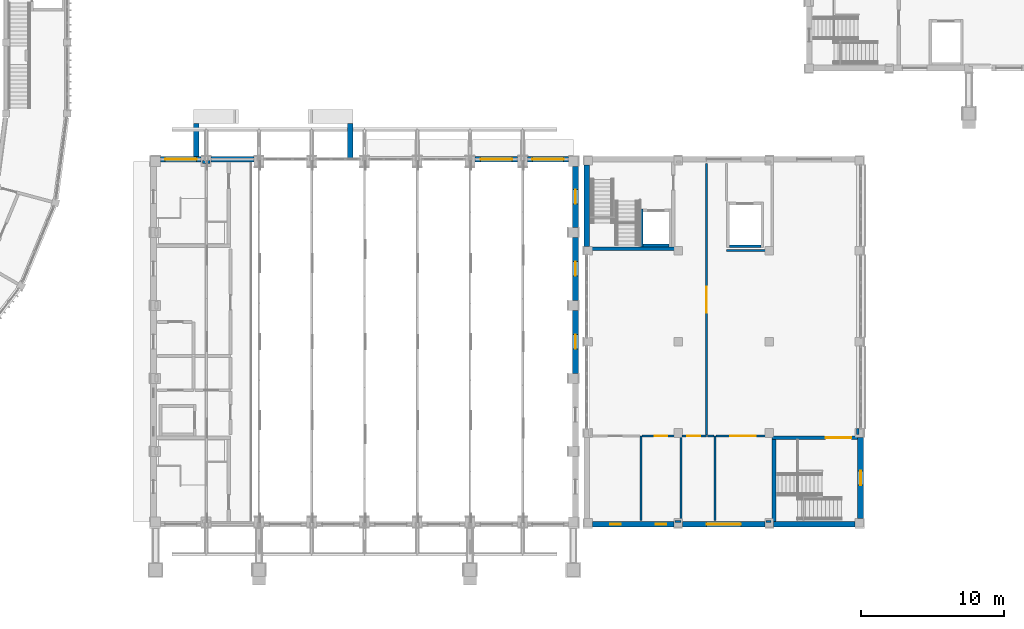
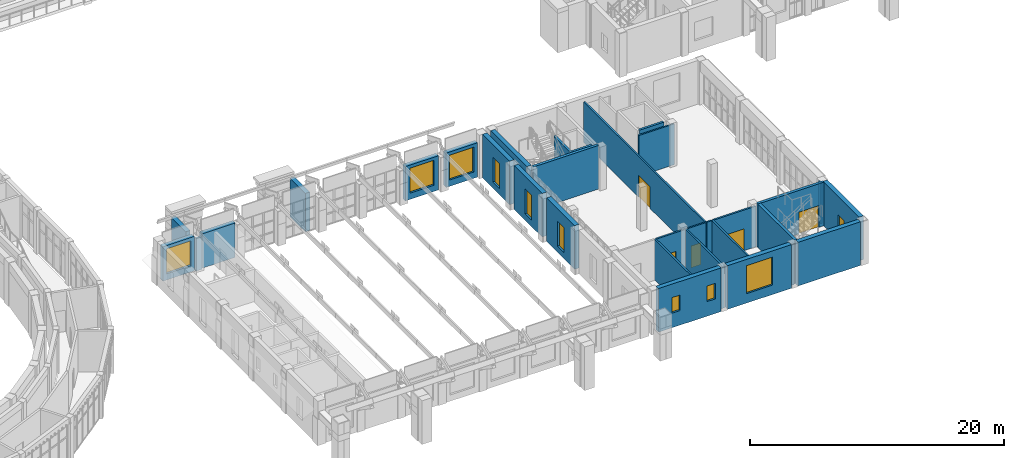
# One storey, part 59 of 99: 33 walls, 10 windows, 5 doors, 15 openings.
"""IFC4 building model written with IfcOpenShell, lengths in metres."""

from ifc_helpers import new_model, si_unit, direction, frame, frame_2d, origin, place, context, subcontext, project, spatial, rectangle, extrude, material, layer, layer_set, type_object, element, fill, save


model = new_model("IFC4")

# Units and contexts
model_context = context("Model", 3, precision=1e-05, world=origin(), true_north=direction((0.0, 1.0)))
body_context = subcontext(model_context, "Body", "Model", "MODEL_VIEW")
ifc_project = project(units=[si_unit("LENGTHUNIT", "METRE"), si_unit("AREAUNIT", "SQUARE_METRE"), si_unit("VOLUMEUNIT", "CUBIC_METRE"), si_unit("PLANEANGLEUNIT", "RADIAN"), si_unit("MASSUNIT", "GRAM", prefix="KILO")], contexts=[model_context])

# Site, building, storey
site_placement = place(None, origin())
site = spatial("IfcSite", under=ifc_project, at=site_placement, CompositionType="ELEMENT")
building_placement = place(site_placement, origin())
building = spatial("IfcBuilding", under=site, at=building_placement, Name="Wasatch Bagh Community Centre", CompositionType="ELEMENT")
storey_placement = place(building_placement, frame((0.0, 0.0, 4.199951171875)))
storey = spatial("IfcBuildingStorey", under=building, at=storey_placement, Name="L01", CompositionType="ELEMENT", Elevation=4.199951171875)

# Wall, opening, window
ifc_material_1 = material(Name="Concrete C40", Category="concrete")
ifc_layer_1 = layer(ifc_material_1, 0.39990234375)
ifc_layer_set_1 = layer_set([ifc_layer_1], Name="Concrete C40")
wall_type_1 = type_object("IfcWallType", Name="DH RC WALL 400 solidwall", PredefinedType="SOLIDWALL", material=ifc_layer_set_1)
wall_1_placement = place(storey_placement, frame((66.699951171875, 31.800048828125, 0.0), z_axis=(0.0, 0.0, 1.0), x_axis=(1.0, 0.0, 0.0)))
wall_1 = element("IfcWall", 1, at=wall_1_placement, inside=storey, type_object=wall_type_1, Name="DH.wall.L01.09", PredefinedType="SOLIDWALL", context=body_context, shape_type="SweptSolid", body=[
    extrude(rectangle(XDim=2.85009765625, YDim=0.39990234375, at=frame_2d((1.425048828125, 0.0))), origin(), (0.0, 0.0, 1.0), 3.300048828125),
])
opening_1_placement = place(wall_1_placement, frame((0.324951171875, 0.0, 0.60009765625)))
opening_1 = element("IfcOpeningElement", 2, at=opening_1_placement, cuts=wall_1, Name="Opening 1D-W08", PredefinedType="OPENING", context=body_context, shape_type="SweptSolid", body=[
    extrude(rectangle(XDim=2.199951171875, YDim=2.39990234375, at=frame_2d((1.10009765625, 1.199951171875))), frame((0.0, 0.2099609375, 0.0), z_axis=(0.0, -1.0, 0.0), x_axis=(1.0, 0.0, 0.0)), (0.0, 0.0, 1.0), 0.419921875),
])
ifc_material_2 = material(Name="Aluminium frame with double glazing", Category="aluminium")
window_type_1 = type_object("IfcWindowType", Name="DH window 2200x2400", PartitioningType="SINGLE_PANEL", PredefinedType="WINDOW", material=ifc_material_2)
window_1_placement = place(opening_1_placement, origin())
window_1 = element("IfcWindow", 3, at=window_1_placement, inside=storey, type_object=window_type_1, Name="DH.window.L01.1D-W08", OverallHeight=2.39990234375, OverallWidth=2.199951171875, PartitioningType="SINGLE_PANEL", PredefinedType="WINDOW", context=body_context, shape_type="SweptSolid", body=[
    extrude(rectangle(XDim=2.199951171875, YDim=2.39990234375, at=frame_2d((1.10009765625, 1.199951171875))), frame((0.0, 0.030029296875, 0.0), z_axis=(0.0, -1.0, 0.0), x_axis=(1.0, 0.0, 0.0)), (0.0, 0.0, 1.0), 0.06005859375),
])
fill(opening_1, window_1)

# Wall
wall_2_placement = place(storey_placement, frame((70.25, 31.800048828125, 0.0), z_axis=(0.0, 0.0, 1.0), x_axis=(1.0, 0.0, 0.0)))
element("IfcWall", 4, at=wall_2_placement, inside=storey, type_object=wall_type_1, Name="DH.wall.L01.10", PredefinedType="SOLIDWALL", context=body_context, shape_type="SweptSolid", body=[
    extrude(rectangle(XDim=3.0, YDim=0.39990234375, at=frame_2d((1.5, 0.0))), origin(), (0.0, 0.0, 1.0), 3.300048828125),
])

# Wall, opening, window
wall_3_placement = place(storey_placement, frame((88.75, 31.800048828125, 0.0), z_axis=(0.0, 0.0, 1.0), x_axis=(1.0, 0.0, 0.0)))
wall_3 = element("IfcWall", 5, at=wall_3_placement, inside=storey, type_object=wall_type_1, Name="DH.wall.L01.15", PredefinedType="SOLIDWALL", context=body_context, shape_type="SweptSolid", body=[
    extrude(rectangle(XDim=3.0, YDim=0.39990234375, at=frame_2d((1.5, 0.0))), origin(), (0.0, 0.0, 1.0), 3.300048828125),
])
opening_2_placement = place(wall_3_placement, frame((0.39990234375, 0.0, 0.60009765625)))
opening_2 = element("IfcOpeningElement", 6, at=opening_2_placement, cuts=wall_3, Name="Opening 1D-W09", PredefinedType="OPENING", context=body_context, shape_type="SweptSolid", body=[
    extrude(rectangle(XDim=2.199951171875, YDim=2.39990234375, at=frame_2d((1.10009765625, 1.199951171875))), frame((0.0, 0.2099609375, 0.0), z_axis=(0.0, -1.0, 0.0), x_axis=(1.0, 0.0, 0.0)), (0.0, 0.0, 1.0), 0.419921875),
])
window_2_placement = place(opening_2_placement, origin())
window_2 = element("IfcWindow", 7, at=window_2_placement, inside=storey, type_object=window_type_1, Name="DH.window.L01.1D-W09", OverallHeight=2.39990234375, OverallWidth=2.199951171875, PartitioningType="SINGLE_PANEL", PredefinedType="WINDOW", context=body_context, shape_type="SweptSolid", body=[
    extrude(rectangle(XDim=2.199951171875, YDim=2.39990234375, at=frame_2d((1.10009765625, 1.199951171875))), frame((0.0, 0.030029296875, 0.0), z_axis=(0.0, -1.0, 0.0), x_axis=(1.0, 0.0, 0.0)), (0.0, 0.0, 1.0), 0.06005859375),
])
fill(opening_2, window_2)

wall_4_placement = place(storey_placement, frame((92.449951171875, 31.800048828125, 0.0), z_axis=(0.0, 0.0, 1.0), x_axis=(1.0, 0.0, 0.0)))
wall_4 = element("IfcWall", 8, at=wall_4_placement, inside=storey, type_object=wall_type_1, Name="DH.wall.L01.16", PredefinedType="SOLIDWALL", context=body_context, shape_type="SweptSolid", body=[
    extrude(rectangle(XDim=2.85009765625, YDim=0.39990234375, at=frame_2d((1.425048828125, 0.0))), origin(), (0.0, 0.0, 1.0), 3.300048828125),
])
opening_3_placement = place(wall_4_placement, frame((0.324951171875, 0.0, 0.60009765625)))
opening_3 = element("IfcOpeningElement", 9, at=opening_3_placement, cuts=wall_4, Name="Opening 1D-W10", PredefinedType="OPENING", context=body_context, shape_type="SweptSolid", body=[
    extrude(rectangle(XDim=2.199951171875, YDim=2.39990234375, at=frame_2d((1.10009765625, 1.199951171875))), frame((0.0, 0.2099609375, 0.0), z_axis=(0.0, -1.0, 0.0), x_axis=(1.0, 0.0, 0.0)), (0.0, 0.0, 1.0), 0.419921875),
])
window_3_placement = place(opening_3_placement, origin())
window_3 = element("IfcWindow", 10, at=window_3_placement, inside=storey, type_object=window_type_1, Name="DH.window.L01.1D-W10", OverallHeight=2.39990234375, OverallWidth=2.199951171875, PartitioningType="SINGLE_PANEL", PredefinedType="WINDOW", context=body_context, shape_type="SweptSolid", body=[
    extrude(rectangle(XDim=2.199951171875, YDim=2.39990234375, at=frame_2d((1.10009765625, 1.199951171875))), frame((0.0, 0.030029296875, 0.0), z_axis=(0.0, -1.0, 0.0), x_axis=(1.0, 0.0, 0.0)), (0.0, 0.0, 1.0), 0.06005859375),
])
fill(opening_3, window_3)

wall_5_placement = place(storey_placement, frame((95.800048828125, 16.7900390625, 0.0), z_axis=(0.0, 0.0, 1.0), x_axis=(0.0, 1.0, 0.0)))
wall_5 = element("IfcWall", 11, at=wall_5_placement, inside=storey, type_object=wall_type_1, Name="DH.wall.L01.24", PredefinedType="SOLIDWALL", context=body_context, shape_type="SweptSolid", body=[
    extrude(rectangle(XDim=4.419921875, YDim=0.39990234375, at=frame_2d((2.2099609375, 0.0))), origin(), (0.0, 0.0, 1.0), 4.199951171875),
])
opening_4_placement = place(wall_5_placement, frame((1.7099609375, 0.0, 0.60009765625)))
opening_4 = element("IfcOpeningElement", 12, at=opening_4_placement, cuts=wall_5, Name="Opening 1D-W19", PredefinedType="OPENING", context=body_context, shape_type="SweptSolid", body=[
    extrude(rectangle(XDim=1.0, YDim=2.39990234375, at=frame_2d((0.5, 1.199951171875))), frame((0.0, 0.2099609375, 0.0), z_axis=(0.0, -1.0, 0.0), x_axis=(1.0, 0.0, 0.0)), (0.0, 0.0, 1.0), 0.419921875),
])
window_type_2 = type_object("IfcWindowType", Name="DH window 1000x2400", PartitioningType="SINGLE_PANEL", PredefinedType="WINDOW", material=ifc_material_2)
window_4_placement = place(opening_4_placement, origin())
window_4 = element("IfcWindow", 13, at=window_4_placement, inside=storey, type_object=window_type_2, Name="DH.window.L01.1D-W19", OverallHeight=2.39990234375, OverallWidth=1.0, PartitioningType="SINGLE_PANEL", PredefinedType="WINDOW", context=body_context, shape_type="SweptSolid", body=[
    extrude(rectangle(XDim=1.0, YDim=2.39990234375, at=frame_2d((0.5, 1.199951171875))), frame((0.0, 0.030029296875, 0.0), z_axis=(0.0, -1.0, 0.0), x_axis=(1.0, 0.0, 0.0)), (0.0, 0.0, 1.0), 0.06005859375),
])
fill(opening_4, window_4)

wall_6_placement = place(storey_placement, frame((95.800048828125, 21.909912109375, 0.0), z_axis=(0.0, 0.0, 1.0), x_axis=(0.0, 1.0, 0.0)))
wall_6 = element("IfcWall", 14, at=wall_6_placement, inside=storey, type_object=wall_type_1, Name="DH.wall.L01.25", PredefinedType="SOLIDWALL", context=body_context, shape_type="SweptSolid", body=[
    extrude(rectangle(XDim=4.420166015625, YDim=0.39990234375, at=frame_2d((2.2099609375, 0.0))), origin(), (0.0, 0.0, 1.0), 4.199951171875),
])
opening_5_placement = place(wall_6_placement, frame((1.7099609375, 0.0, 0.60009765625)))
opening_5 = element("IfcOpeningElement", 15, at=opening_5_placement, cuts=wall_6, Name="Opening 1D-W20", PredefinedType="OPENING", context=body_context, shape_type="SweptSolid", body=[
    extrude(rectangle(XDim=1.0, YDim=2.39990234375, at=frame_2d((0.5, 1.199951171875))), frame((0.0, 0.2099609375, 0.0), z_axis=(0.0, -1.0, 0.0), x_axis=(1.0, 0.0, 0.0)), (0.0, 0.0, 1.0), 0.419921875),
])
window_5_placement = place(opening_5_placement, origin())
window_5 = element("IfcWindow", 16, at=window_5_placement, inside=storey, type_object=window_type_2, Name="DH.window.L01.1D-W20", OverallHeight=2.39990234375, OverallWidth=1.0, PartitioningType="SINGLE_PANEL", PredefinedType="WINDOW", context=body_context, shape_type="SweptSolid", body=[
    extrude(rectangle(XDim=1.0, YDim=2.39990234375, at=frame_2d((0.5, 1.199951171875))), frame((0.0, 0.030029296875, 0.0), z_axis=(0.0, -1.0, 0.0), x_axis=(1.0, 0.0, 0.0)), (0.0, 0.0, 1.0), 0.06005859375),
])
fill(opening_5, window_5)

wall_7_placement = place(storey_placement, frame((95.800048828125, 27.030029296875, 0.0), z_axis=(0.0, 0.0, 1.0), x_axis=(0.0, 1.0, 0.0)))
wall_7 = element("IfcWall", 17, at=wall_7_placement, inside=storey, type_object=wall_type_1, Name="DH.wall.L01.26", PredefinedType="SOLIDWALL", context=body_context, shape_type="SweptSolid", body=[
    extrude(rectangle(XDim=4.27001953125, YDim=0.39990234375, at=frame_2d((2.135009765625, 0.0))), origin(), (0.0, 0.0, 1.0), 4.199951171875),
])
opening_6_placement = place(wall_7_placement, frame((1.635009765625, 0.0, 0.60009765625)))
opening_6 = element("IfcOpeningElement", 18, at=opening_6_placement, cuts=wall_7, Name="Opening 1D-W21", PredefinedType="OPENING", context=body_context, shape_type="SweptSolid", body=[
    extrude(rectangle(XDim=1.0, YDim=2.39990234375, at=frame_2d((0.5, 1.199951171875))), frame((0.0, 0.2099609375, 0.0), z_axis=(0.0, -1.0, 0.0), x_axis=(1.0, 0.0, 0.0)), (0.0, 0.0, 1.0), 0.419921875),
])
window_6_placement = place(opening_6_placement, origin())
window_6 = element("IfcWindow", 19, at=window_6_placement, inside=storey, type_object=window_type_2, Name="DH.window.L01.1D-W21", OverallHeight=2.39990234375, OverallWidth=1.0, PartitioningType="SINGLE_PANEL", PredefinedType="WINDOW", context=body_context, shape_type="SweptSolid", body=[
    extrude(rectangle(XDim=1.0, YDim=2.39990234375, at=frame_2d((0.5, 1.199951171875))), frame((0.0, 0.030029296875, 0.0), z_axis=(0.0, -1.0, 0.0), x_axis=(1.0, 0.0, 0.0)), (0.0, 0.0, 1.0), 0.06005859375),
])
fill(opening_6, window_6)

# Walls
ifc_material_3 = material(Name="Hollow block masonry, medium weight (ASTM Grade N)", Category="masonry")
ifc_layer_2 = layer(ifc_material_3, 0.2099609375)
ifc_layer_set_2 = layer_set([ifc_layer_2], Name="Hollow block masonry, medium weight (ASTM Grade N)")
wall_type_2 = type_object("IfcWallType", Name="DH partition 210", PredefinedType="PARTITIONING", material=ifc_layer_set_2)
wall_8_placement = place(storey_placement, frame((70.169921875, 31.60009765625, 0.0), z_axis=(0.0, 0.0, 1.0), x_axis=(-1.0, 0.0, 0.0)))
element("IfcWall", 20, at=wall_8_placement, inside=storey, type_object=wall_type_2, Name="DH.part.L01.013", PredefinedType="PARTITIONING", context=body_context, shape_type="SweptSolid", body=[
    extrude(rectangle(XDim=0.5400390625, YDim=0.2099609375, at=frame_2d((0.27001953125, 0.0))), origin(), (0.0, 0.0, 1.0), 3.10009765625),
])
ifc_layer_3 = layer(ifc_material_1, 0.39990234375)
ifc_layer_set_3 = layer_set([ifc_layer_3], Name="Concrete C40")
wall_type_3 = type_object("IfcWallType", Name="DHPQ-W5", PredefinedType="STANDARD", material=ifc_layer_set_3)
wall_9_placement = place(storey_placement, frame((69.199951171875, 34.300048828125, 0.0), z_axis=(0.0, 0.0, 1.0), x_axis=(0.0, -1.0, 0.0)))
element("IfcWall", 21, at=wall_9_placement, inside=storey, type_object=wall_type_3, Name="DHPQ-W5 pishtaq return wall W", PredefinedType="STANDARD", context=body_context, shape_type="SweptSolid", body=[
    extrude(rectangle(XDim=2.300048828125, YDim=0.39990234375, at=frame_2d((1.14990234375, 0.0))), origin(), (0.0, 0.0, 1.0), 3.699951171875),
])
wall_10_placement = place(storey_placement, frame((80.0, 34.300048828125, 0.0), z_axis=(0.0, 0.0, 1.0), x_axis=(0.0, -1.0, 0.0)))
element("IfcWall", 22, at=wall_10_placement, inside=storey, type_object=wall_type_3, Name="DHPQ-W5 pishtaq return wall E", PredefinedType="STANDARD", context=body_context, shape_type="SweptSolid", body=[
    extrude(rectangle(XDim=2.43994140625, YDim=0.39990234375, at=frame_2d((1.219970703125, 0.0))), origin(), (0.0, 0.0, 1.0), 3.699951171875),
])
ifc_layer_4 = layer(ifc_material_1, 0.199951171875)
ifc_layer_set_4 = layer_set([ifc_layer_4], Name="Concrete C40")
wall_type_4 = type_object("IfcWallType", Name="KW RC WALL 200 shear", PredefinedType="SHEAR", material=ifc_layer_set_4)
wall_11_placement = place(storey_placement, frame((100.449951171875, 25.64990234375, 0.0), z_axis=(0.0, 0.0, 1.0), x_axis=(0.0, 1.0, 0.0)))
element("IfcWall", 23, at=wall_11_placement, inside=storey, type_object=wall_type_4, Name="KW.core.LF2.L01.W", PredefinedType="SHEAR", context=body_context, shape_type="SweptSolid", body=[
    extrude(rectangle(XDim=2.650146484375, YDim=0.199951171875, at=frame_2d((1.3251953125, 0.0))), origin(), (0.0, 0.0, 1.0), 4.199951171875),
])
wall_12_placement = place(storey_placement, frame((100.550048828125, 25.75, 0.0), z_axis=(0.0, 0.0, 1.0), x_axis=(1.0, 0.0, 0.0)))
element("IfcWall", 24, at=wall_12_placement, inside=storey, type_object=wall_type_4, Name="KW.core.LF2.L01.S", PredefinedType="SHEAR", context=body_context, shape_type="SweptSolid", body=[
    extrude(rectangle(XDim=1.800048828125, YDim=0.199951171875, at=frame_2d((0.89990234375, 0.0))), origin(), (0.0, 0.0, 1.0), 4.199951171875),
])
wall_13_placement = place(storey_placement, frame((106.60009765625, 25.699951171875, 0.0), z_axis=(0.0, 0.0, 1.0), x_axis=(1.0, 0.0, 0.0)))
element("IfcWall", 25, at=wall_13_placement, inside=storey, type_object=wall_type_4, Name="KW.core.LF3.L01.S", PredefinedType="SHEAR", context=body_context, shape_type="SweptSolid", body=[
    extrude(rectangle(XDim=2.199951171875, YDim=0.199951171875, at=frame_2d((1.10009765625, 0.0))), origin(), (0.0, 0.0, 1.0), 4.199951171875),
])
ifc_layer_5 = layer(ifc_material_1, 0.25)
ifc_layer_set_5 = layer_set([ifc_layer_5], Name="Concrete C40")
wall_type_5 = type_object("IfcWallType", Name="KW RC WALL 250 shear", PredefinedType="SHEAR", material=ifc_layer_set_5)
wall_14_placement = place(storey_placement, frame((96.800048828125, 25.52490234375, 0.0), z_axis=(0.0, 0.0, 1.0), x_axis=(1.0, 0.0, 0.0)))
element("IfcWall", 26, at=wall_14_placement, inside=storey, type_object=wall_type_5, Name="KW.core.ST4.L01.S", PredefinedType="SHEAR", context=body_context, shape_type="SweptSolid", body=[
    extrude(rectangle(XDim=6.0, YDim=0.25, at=frame_2d((3.0, 0.0))), origin(), (0.0, 0.0, 1.0), 4.199951171875),
])
wall_15_placement = place(storey_placement, frame((109.72509765625, 6.39990234375, 0.0), z_axis=(0.0, 0.0, 1.0), x_axis=(0.0, 1.0, 0.0)))
element("IfcWall", 27, at=wall_15_placement, inside=storey, type_object=wall_type_5, Name="KW.core.ST5.L01.W", PredefinedType="SHEAR", context=body_context, shape_type="SweptSolid", body=[
    extrude(rectangle(XDim=5.75, YDim=0.25, at=frame_2d((2.875, 0.0))), origin(), (0.0, 0.0, 1.0), 4.199951171875),
])

# Wall, opening, door
wall_16_placement = place(storey_placement, frame((109.60009765625, 12.27490234375, 0.0), z_axis=(0.0, 0.0, 1.0), x_axis=(1.0, 0.0, 0.0)))
wall_16 = element("IfcWall", 28, at=wall_16_placement, inside=storey, type_object=wall_type_5, Name="KW.core.ST5.L01.N", PredefinedType="SHEAR", context=body_context, shape_type="SweptSolid", body=[
    extrude(rectangle(XDim=6.0, YDim=0.25, at=frame_2d((3.0, 0.0))), origin(), (0.0, 0.0, 1.0), 4.199951171875),
])
opening_7_placement = place(wall_16_placement, frame((3.75, 0.0, 0.0)))
opening_7 = element("IfcOpeningElement", 29, at=opening_7_placement, cuts=wall_16, Name="Opening 1K-09", PredefinedType="OPENING", context=body_context, shape_type="SweptSolid", body=[
    extrude(rectangle(XDim=1.800048828125, YDim=2.10009765625, at=frame_2d((0.89990234375, 1.050048828125))), frame((0.0, 0.135009765625, 0.0), z_axis=(0.0, -1.0, 0.0), x_axis=(1.0, 0.0, 0.0)), (0.0, 0.0, 1.0), 0.27001953125),
])
ifc_material_4 = material(Name="Aluminium frame and glass", Category="aluminium")
door_type_1 = type_object("IfcDoorType", Name="KW door 1800x2100 double", OperationType="DOUBLE_DOOR_SINGLE_SWING", PredefinedType="DOOR", material=ifc_material_4)
door_1_placement = place(opening_7_placement, origin())
door_1 = element("IfcDoor", 30, at=door_1_placement, inside=storey, type_object=door_type_1, Name="KW.door.L01.1K-09", OperationType="DOUBLE_DOOR_SINGLE_SWING", OverallHeight=2.10009765625, OverallWidth=1.800048828125, PredefinedType="DOOR", context=body_context, shape_type="SweptSolid", body=[
    extrude(rectangle(XDim=1.800048828125, YDim=2.10009765625, at=frame_2d((0.89990234375, 1.050048828125))), frame((0.0, 0.02490234375, 0.0), z_axis=(0.0, -1.0, 0.0), x_axis=(1.0, 0.0, 0.0)), (0.0, 0.0, 1.0), 0.050048828125),
])
fill(opening_7, door_1)

# Wall, openings, windows
ifc_layer_6 = layer(ifc_material_1, 0.39990234375)
ifc_layer_set_6 = layer_set([ifc_layer_6], Name="Concrete C40")
wall_type_6 = type_object("IfcWallType", Name="KW RC WALL 400 solidwall", PredefinedType="SOLIDWALL", material=ifc_layer_set_6)
wall_17_placement = place(storey_placement, frame((97.0, 6.199951171875, 0.0), z_axis=(0.0, 0.0, 1.0), x_axis=(1.0, 0.0, 0.0)))
wall_17 = element("IfcWall", 31, at=wall_17_placement, inside=storey, type_object=wall_type_6, Name="KW.wall.L01.01", PredefinedType="SOLIDWALL", context=body_context, shape_type="SweptSolid", body=[
    extrude(rectangle(XDim=5.699951171875, YDim=0.39990234375, at=frame_2d((2.85009765625, 0.0))), origin(), (0.0, 0.0, 1.0), 4.199951171875),
])
opening_8_placement = place(wall_17_placement, frame((1.22509765625, 0.0, 1.39990234375)))
opening_8 = element("IfcOpeningElement", 32, at=opening_8_placement, cuts=wall_17, Name="Opening 1K-W02", PredefinedType="OPENING", context=body_context, shape_type="SweptSolid", body=[
    extrude(rectangle(XDim=0.75, YDim=1.5, at=frame_2d((0.375, 0.75))), frame((0.0, 0.2099609375, 0.0), z_axis=(0.0, -1.0, 0.0), x_axis=(1.0, 0.0, 0.0)), (0.0, 0.0, 1.0), 0.419921875),
])
opening_9_placement = place(wall_17_placement, frame((4.425048828125, 0.0, 1.39990234375)))
opening_9 = element("IfcOpeningElement", 33, at=opening_9_placement, cuts=wall_17, Name="Opening 1K-W03", PredefinedType="OPENING", context=body_context, shape_type="SweptSolid", body=[
    extrude(rectangle(XDim=0.75, YDim=1.5, at=frame_2d((0.375, 0.75))), frame((0.0, 0.2099609375, 0.0), z_axis=(0.0, -1.0, 0.0), x_axis=(1.0, 0.0, 0.0)), (0.0, 0.0, 1.0), 0.419921875),
])
window_type_3 = type_object("IfcWindowType", Name="KW window 750x1500", PartitioningType="SINGLE_PANEL", PredefinedType="WINDOW", material=ifc_material_2)
window_7_placement = place(opening_8_placement, origin())
window_7 = element("IfcWindow", 34, at=window_7_placement, inside=storey, type_object=window_type_3, Name="KW.window.L01.1K-W02", OverallHeight=1.5, OverallWidth=0.75, PartitioningType="SINGLE_PANEL", PredefinedType="WINDOW", context=body_context, shape_type="SweptSolid", body=[
    extrude(rectangle(XDim=0.75, YDim=1.5, at=frame_2d((0.375, 0.75))), frame((0.0, 0.030029296875, 0.0), z_axis=(0.0, -1.0, 0.0), x_axis=(1.0, 0.0, 0.0)), (0.0, 0.0, 1.0), 0.06005859375),
])
fill(opening_8, window_7)
window_8_placement = place(opening_9_placement, origin())
window_8 = element("IfcWindow", 35, at=window_8_placement, inside=storey, type_object=window_type_3, Name="KW.window.L01.1K-W03", OverallHeight=1.5, OverallWidth=0.75, PartitioningType="SINGLE_PANEL", PredefinedType="WINDOW", context=body_context, shape_type="SweptSolid", body=[
    extrude(rectangle(XDim=0.75, YDim=1.5, at=frame_2d((0.375, 0.75))), frame((0.0, 0.030029296875, 0.0), z_axis=(0.0, -1.0, 0.0), x_axis=(1.0, 0.0, 0.0)), (0.0, 0.0, 1.0), 0.06005859375),
])
fill(opening_9, window_8)

# Wall, opening, window
wall_18_placement = place(storey_placement, frame((103.300048828125, 6.199951171875, 0.0), z_axis=(0.0, 0.0, 1.0), x_axis=(1.0, 0.0, 0.0)))
wall_18 = element("IfcWall", 36, at=wall_18_placement, inside=storey, type_object=wall_type_6, Name="KW.wall.L01.02", PredefinedType="SOLIDWALL", context=body_context, shape_type="SweptSolid", body=[
    extrude(rectangle(XDim=5.800048828125, YDim=0.39990234375, at=frame_2d((2.89990234375, 0.0))), origin(), (0.0, 0.0, 1.0), 4.199951171875),
])
opening_10_placement = place(wall_18_placement, frame((1.699951171875, 0.0, 0.89990234375)))
opening_10 = element("IfcOpeningElement", 37, at=opening_10_placement, cuts=wall_18, Name="Opening 1K-W04", PredefinedType="OPENING", context=body_context, shape_type="SweptSolid", body=[
    extrude(rectangle(XDim=2.39990234375, YDim=2.699951171875, at=frame_2d((1.199951171875, 1.35009765625))), frame((0.0, 0.2099609375, 0.0), z_axis=(0.0, -1.0, 0.0), x_axis=(1.0, 0.0, 0.0)), (0.0, 0.0, 1.0), 0.419921875),
])
window_type_4 = type_object("IfcWindowType", Name="KW window 2400x2700", PartitioningType="SINGLE_PANEL", PredefinedType="WINDOW", material=ifc_material_2)
window_9_placement = place(opening_10_placement, origin())
window_9 = element("IfcWindow", 38, at=window_9_placement, inside=storey, type_object=window_type_4, Name="KW.window.L01.1K-W04", OverallHeight=2.699951171875, OverallWidth=2.39990234375, PartitioningType="SINGLE_PANEL", PredefinedType="WINDOW", context=body_context, shape_type="SweptSolid", body=[
    extrude(rectangle(XDim=2.39990234375, YDim=2.699951171875, at=frame_2d((1.199951171875, 1.35009765625))), frame((0.0, 0.030029296875, 0.0), z_axis=(0.0, -1.0, 0.0), x_axis=(1.0, 0.0, 0.0)), (0.0, 0.0, 1.0), 0.06005859375),
])
fill(opening_10, window_9)

# Walls
for number, where, z_axis, x_axis, name in (
    (39, (109.699951171875, 6.199951171875, 0.0), (0.0, 0.0, 1.0), (1.0, 0.0, 0.0), "KW.wall.L01.03"),
    (40, (96.60009765625, 25.699951171875, 0.0), (0.0, 0.0, 1.0), (0.0, 1.0, 0.0), "KW.wall.L01.10"),
):
    element("IfcWall", number, at=place(storey_placement, frame(where, z_axis=z_axis, x_axis=x_axis)), inside=storey, type_object=wall_type_6, Name=name, PredefinedType="SOLIDWALL", context=body_context, shape_type="SweptSolid", body=[
        extrude(rectangle(XDim=5.699951171875, YDim=0.39990234375, at=frame_2d((2.85009765625, 0.0))), origin(), (0.0, 0.0, 1.0), 4.199951171875),
    ])

# Wall, opening, window
wall_19_placement = place(storey_placement, frame((115.800048828125, 12.300048828125, 0.0), z_axis=(0.0, 0.0, 1.0), x_axis=(0.0, -1.0, 0.0)))
wall_19 = element("IfcWall", 41, at=wall_19_placement, inside=storey, type_object=wall_type_6, Name="KW.wall.L01.11", PredefinedType="SOLIDWALL", context=body_context, shape_type="SweptSolid", body=[
    extrude(rectangle(XDim=5.699951171875, YDim=0.39990234375, at=frame_2d((2.85009765625, 0.0))), origin(), (0.0, 0.0, 1.0), 4.199951171875),
])
opening_11_placement = place(wall_19_placement, frame((2.35009765625, 0.0, 0.89990234375)))
opening_11 = element("IfcOpeningElement", 42, at=opening_11_placement, cuts=wall_19, Name="Opening 1K-W01", PredefinedType="OPENING", context=body_context, shape_type="SweptSolid", body=[
    extrude(rectangle(XDim=1.0, YDim=1.5, at=frame_2d((0.5, 0.75))), frame((0.0, 0.2099609375, 0.0), z_axis=(0.0, -1.0, 0.0), x_axis=(1.0, 0.0, 0.0)), (0.0, 0.0, 1.0), 0.419921875),
])
window_type_5 = type_object("IfcWindowType", Name="KW window 1000x1500", PartitioningType="SINGLE_PANEL", PredefinedType="WINDOW", material=ifc_material_2)
window_10_placement = place(opening_11_placement, origin())
window_10 = element("IfcWindow", 43, at=window_10_placement, inside=storey, type_object=window_type_5, Name="KW.window.L01.1K-W01", OverallHeight=1.5, OverallWidth=1.0, PartitioningType="SINGLE_PANEL", PredefinedType="WINDOW", context=body_context, shape_type="SweptSolid", body=[
    extrude(rectangle(XDim=1.0, YDim=1.5, at=frame_2d((0.5, 0.75))), frame((0.0, 0.030029296875, 0.0), z_axis=(0.0, -1.0, 0.0), x_axis=(1.0, 0.0, 0.0)), (0.0, 0.0, 1.0), 0.06005859375),
])
fill(opening_11, window_10)

# Walls
ifc_layer_7 = layer(ifc_material_3, 0.14990234375)
ifc_layer_set_7 = layer_set([ifc_layer_7], Name="Hollow block masonry, medium weight (ASTM Grade N)")
wall_type_7 = type_object("IfcWallType", Name="KW partition 150", PredefinedType="PARTITIONING", material=ifc_layer_set_7)
wall_20_placement = place(storey_placement, frame((100.39990234375, 6.47998046875, 0.0), z_axis=(0.0, 0.0, 1.0), x_axis=(0.0, 1.0, 0.0)))
element("IfcWall", 44, at=wall_20_placement, inside=storey, type_object=wall_type_7, Name="KW.part.L01.003", PredefinedType="PARTITIONING", context=body_context, shape_type="SweptSolid", body=[
    extrude(rectangle(XDim=5.919921875, YDim=0.14990234375, at=frame_2d((2.9599609375, 0.0))), origin(), (0.0, 0.0, 1.0), 3.920166015625),
])
wall_21_placement = place(storey_placement, frame((102.780029296875, 6.39990234375, 0.0), z_axis=(0.0, 0.0, 1.0), x_axis=(1.0, 0.0, 0.0)))
element("IfcWall", 45, at=wall_21_placement, inside=storey, type_object=wall_type_7, Name="KW.part.L01.004", PredefinedType="PARTITIONING", context=body_context, shape_type="SweptSolid", body=[
    extrude(rectangle(XDim=0.419921875, YDim=0.14990234375, at=frame_2d((0.2099609375, 0.0))), origin(), (0.0, 0.0, 1.0), 3.920166015625),
])

# Wall, opening, door
wall_22_placement = place(storey_placement, frame((103.125, 12.39990234375, 0.0), z_axis=(0.0, 0.0, 1.0), x_axis=(-1.0, 0.0, 0.0)))
wall_22 = element("IfcWall", 46, at=wall_22_placement, inside=storey, type_object=wall_type_7, Name="KW.part.L01.005", PredefinedType="PARTITIONING", context=body_context, shape_type="SweptSolid", body=[
    extrude(rectangle(XDim=2.64990234375, YDim=0.14990234375, at=frame_2d((1.324951171875, 0.0))), origin(), (0.0, 0.0, 1.0), 3.920166015625),
])
opening_12_placement = place(wall_22_placement, frame((0.875, 0.0, 0.0)))
opening_12 = element("IfcOpeningElement", 47, at=opening_12_placement, cuts=wall_22, Name="Opening 1K-04", PredefinedType="OPENING", context=body_context, shape_type="SweptSolid", body=[
    extrude(rectangle(XDim=0.89990234375, YDim=2.10009765625, at=frame_2d((0.449951171875, 1.050048828125))), frame((0.0, 0.0849609375, 0.0), z_axis=(0.0, -1.0, 0.0), x_axis=(1.0, 0.0, 0.0)), (0.0, 0.0, 1.0), 0.169921875),
])
ifc_material_5 = material(Name="Painted hardwood timber", Category="wood")
door_type_2 = type_object("IfcDoorType", Name="KW door 900x2100 single", OperationType="SINGLE_SWING_LEFT", PredefinedType="DOOR", material=ifc_material_5)
door_2_placement = place(opening_12_placement, origin())
door_2 = element("IfcDoor", 48, at=door_2_placement, inside=storey, type_object=door_type_2, Name="KW.door.L01.1K-04", OperationType="SINGLE_SWING_LEFT", OverallHeight=2.10009765625, OverallWidth=0.89990234375, PredefinedType="DOOR", context=body_context, shape_type="SweptSolid", body=[
    extrude(rectangle(XDim=0.89990234375, YDim=2.10009765625, at=frame_2d((0.449951171875, 1.050048828125))), frame((0.0, 0.02490234375, 0.0), z_axis=(0.0, -1.0, 0.0), x_axis=(1.0, 0.0, 0.0)), (0.0, 0.0, 1.0), 0.050048828125),
])
fill(opening_12, door_2)

# Wall
wall_23_placement = place(storey_placement, frame((103.199951171875, 6.47509765625, 0.0), z_axis=(0.0, 0.0, 1.0), x_axis=(0.0, 1.0, 0.0)))
element("IfcWall", 49, at=wall_23_placement, inside=storey, type_object=wall_type_7, Name="KW.part.L01.006", PredefinedType="PARTITIONING", context=body_context, shape_type="SweptSolid", body=[
    extrude(rectangle(XDim=5.9248046875, YDim=0.14990234375, at=frame_2d((2.96240234375, 0.0))), origin(), (0.0, 0.0, 1.0), 3.920166015625),
])

# Wall, opening, door
wall_24_placement = place(storey_placement, frame((105.0, 12.39990234375, 0.0), z_axis=(0.0, 0.0, 1.0), x_axis=(-1.0, 0.0, 0.0)))
wall_24 = element("IfcWall", 50, at=wall_24_placement, inside=storey, type_object=wall_type_7, Name="KW.part.L01.008", PredefinedType="PARTITIONING", context=body_context, shape_type="SweptSolid", body=[
    extrude(rectangle(XDim=1.72509765625, YDim=0.14990234375, at=frame_2d((0.862548828125, 0.0))), origin(), (0.0, 0.0, 1.0), 3.920166015625),
])
opening_13_placement = place(wall_24_placement, frame((0.449951171875, 0.0, 0.0)))
opening_13 = element("IfcOpeningElement", 51, at=opening_13_placement, cuts=wall_24, Name="Opening 1K-05", PredefinedType="OPENING", context=body_context, shape_type="SweptSolid", body=[
    extrude(rectangle(XDim=0.89990234375, YDim=2.10009765625, at=frame_2d((0.449951171875, 1.050048828125))), frame((0.0, 0.0849609375, 0.0), z_axis=(0.0, -1.0, 0.0), x_axis=(1.0, 0.0, 0.0)), (0.0, 0.0, 1.0), 0.169921875),
])
door_3_placement = place(opening_13_placement, origin())
door_3 = element("IfcDoor", 52, at=door_3_placement, inside=storey, type_object=door_type_2, Name="KW.door.L01.1K-05", OperationType="SINGLE_SWING_LEFT", OverallHeight=2.10009765625, OverallWidth=0.89990234375, PredefinedType="DOOR", context=body_context, shape_type="SweptSolid", body=[
    extrude(rectangle(XDim=0.89990234375, YDim=2.10009765625, at=frame_2d((0.449951171875, 1.050048828125))), frame((0.0, 0.02490234375, 0.0), z_axis=(0.0, -1.0, 0.0), x_axis=(1.0, 0.0, 0.0)), (0.0, 0.0, 1.0), 0.050048828125),
])
fill(opening_13, door_3)

wall_25_placement = place(storey_placement, frame((105.0, 12.47509765625, 0.0), z_axis=(0.0, 0.0, 1.0), x_axis=(0.0, 1.0, 0.0)))
wall_25 = element("IfcWall", 53, at=wall_25_placement, inside=storey, type_object=wall_type_7, Name="KW.part.L01.009", PredefinedType="PARTITIONING", context=body_context, shape_type="SweptSolid", body=[
    extrude(rectangle(XDim=19.044921875, YDim=0.14990234375, at=frame_2d((9.5224609375, 0.0))), origin(), (0.0, 0.0, 1.0), 3.920166015625),
])
opening_14_placement = place(wall_25_placement, frame((8.574951171875, 0.0, 0.0)))
opening_14 = element("IfcOpeningElement", 54, at=opening_14_placement, cuts=wall_25, Name="Opening 1K-07", PredefinedType="OPENING", context=body_context, shape_type="SweptSolid", body=[
    extrude(rectangle(XDim=1.800048828125, YDim=2.10009765625, at=frame_2d((0.89990234375, 1.050048828125))), frame((0.0, 0.0849609375, 0.0), z_axis=(0.0, -1.0, 0.0), x_axis=(1.0, 0.0, 0.0)), (0.0, 0.0, 1.0), 0.169921875),
])
door_4_placement = place(opening_14_placement, origin())
door_4 = element("IfcDoor", 55, at=door_4_placement, inside=storey, type_object=door_type_1, Name="KW.door.L01.1K-07", OperationType="DOUBLE_DOOR_SINGLE_SWING", OverallHeight=2.10009765625, OverallWidth=1.800048828125, PredefinedType="DOOR", context=body_context, shape_type="SweptSolid", body=[
    extrude(rectangle(XDim=1.800048828125, YDim=2.10009765625, at=frame_2d((0.89990234375, 1.050048828125))), frame((0.0, 0.02490234375, 0.0), z_axis=(0.0, -1.0, 0.0), x_axis=(1.0, 0.0, 0.0)), (0.0, 0.0, 1.0), 0.050048828125),
])
fill(opening_14, door_4)

# Walls
wall_26_placement = place(storey_placement, frame((105.52490234375, 12.39990234375, 0.0), z_axis=(0.0, 0.0, 1.0), x_axis=(-1.0, 0.0, 0.0)))
element("IfcWall", 56, at=wall_26_placement, inside=storey, type_object=wall_type_7, Name="KW.part.L01.010", PredefinedType="PARTITIONING", context=body_context, shape_type="SweptSolid", body=[
    extrude(rectangle(XDim=0.449951171875, YDim=0.14990234375, at=frame_2d((0.22509765625, 0.0))), origin(), (0.0, 0.0, 1.0), 3.920166015625),
])
wall_27_placement = place(storey_placement, frame((105.60009765625, 6.47998046875, 0.0), z_axis=(0.0, 0.0, 1.0), x_axis=(0.0, 1.0, 0.0)))
element("IfcWall", 57, at=wall_27_placement, inside=storey, type_object=wall_type_7, Name="KW.part.L01.011", PredefinedType="PARTITIONING", context=body_context, shape_type="SweptSolid", body=[
    extrude(rectangle(XDim=5.919921875, YDim=0.14990234375, at=frame_2d((2.9599609375, 0.0))), origin(), (0.0, 0.0, 1.0), 3.920166015625),
])
wall_28_placement = place(storey_placement, frame((106.39990234375, 25.39990234375, 0.0), z_axis=(0.0, 0.0, 1.0), x_axis=(1.0, 0.0, 0.0)))
element("IfcWall", 58, at=wall_28_placement, inside=storey, type_object=wall_type_7, Name="KW.part.L01.012", PredefinedType="PARTITIONING", context=body_context, shape_type="SweptSolid", body=[
    extrude(rectangle(XDim=3.2001953125, YDim=0.14990234375, at=frame_2d((1.60009765625, 0.0))), origin(), (0.0, 0.0, 1.0), 3.920166015625),
])
wall_29_placement = place(storey_placement, frame((109.179931640625, 6.39990234375, 0.0), z_axis=(0.0, 0.0, 1.0), x_axis=(1.0, 0.0, 0.0)))
element("IfcWall", 59, at=wall_29_placement, inside=storey, type_object=wall_type_7, Name="KW.part.L01.014", PredefinedType="PARTITIONING", context=body_context, shape_type="SweptSolid", body=[
    extrude(rectangle(XDim=0.340087890625, YDim=0.14990234375, at=frame_2d((0.169921875, 0.0))), origin(), (0.0, 0.0, 1.0), 3.920166015625),
])

# Wall, opening, door
wall_30_placement = place(storey_placement, frame((109.52001953125, 12.39990234375, 0.0), z_axis=(0.0, 0.0, 1.0), x_axis=(-1.0, 0.0, 0.0)))
wall_30 = element("IfcWall", 60, at=wall_30_placement, inside=storey, type_object=wall_type_7, Name="KW.part.L01.015", PredefinedType="PARTITIONING", context=body_context, shape_type="SweptSolid", body=[
    extrude(rectangle(XDim=3.844970703125, YDim=0.14990234375, at=frame_2d((1.92236328125, 0.0))), origin(), (0.0, 0.0, 1.0), 3.920166015625),
])
opening_15_placement = place(wall_30_placement, frame((1.070068359375, 0.0, 0.0)))
opening_15 = element("IfcOpeningElement", 61, at=opening_15_placement, cuts=wall_30, Name="Opening 1K-06", PredefinedType="OPENING", context=body_context, shape_type="SweptSolid", body=[
    extrude(rectangle(XDim=1.800048828125, YDim=2.10009765625, at=frame_2d((0.89990234375, 1.050048828125))), frame((0.0, 0.0849609375, 0.0), z_axis=(0.0, -1.0, 0.0), x_axis=(1.0, 0.0, 0.0)), (0.0, 0.0, 1.0), 0.169921875),
])
door_5_placement = place(opening_15_placement, origin())
door_5 = element("IfcDoor", 62, at=door_5_placement, inside=storey, type_object=door_type_1, Name="KW.door.L01.1K-06", OperationType="DOUBLE_DOOR_SINGLE_SWING", OverallHeight=2.10009765625, OverallWidth=1.800048828125, PredefinedType="DOOR", context=body_context, shape_type="SweptSolid", body=[
    extrude(rectangle(XDim=1.800048828125, YDim=2.10009765625, at=frame_2d((0.89990234375, 1.050048828125))), frame((0.0, 0.02490234375, 0.0), z_axis=(0.0, -1.0, 0.0), x_axis=(1.0, 0.0, 0.0)), (0.0, 0.0, 1.0), 0.050048828125),
])
fill(opening_15, door_5)

# Wall
wall_31_placement = place(storey_placement, frame((115.60009765625, 12.89990234375, 0.0), z_axis=(0.0, 0.0, 1.0), x_axis=(0.0, -1.0, 0.0)))
element("IfcWall", 63, at=wall_31_placement, inside=storey, type_object=wall_type_7, Name="KW.part.L01.018", PredefinedType="PARTITIONING", context=body_context, shape_type="SweptSolid", body=[
    extrude(rectangle(XDim=0.419921875, YDim=0.14990234375, at=frame_2d((0.2099609375, 0.0))), origin(), (0.0, 0.0, 1.0), 3.920166015625),
])

save(model, "model.ifc")
